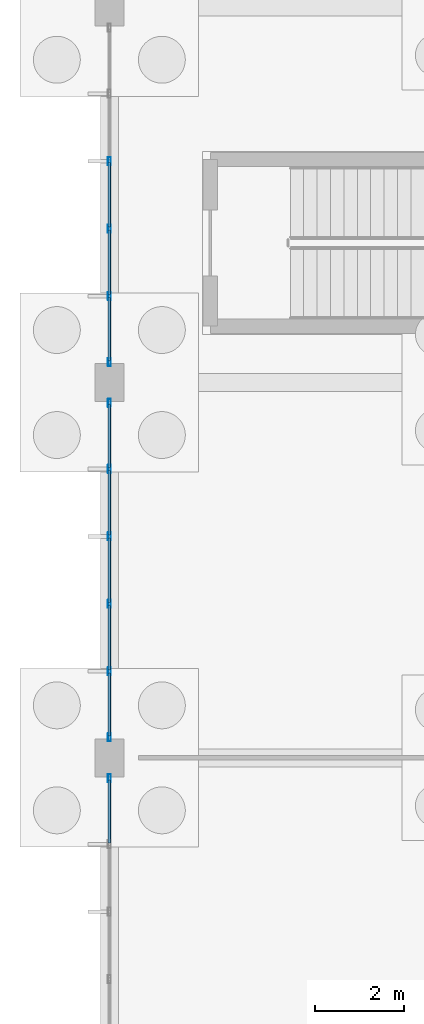
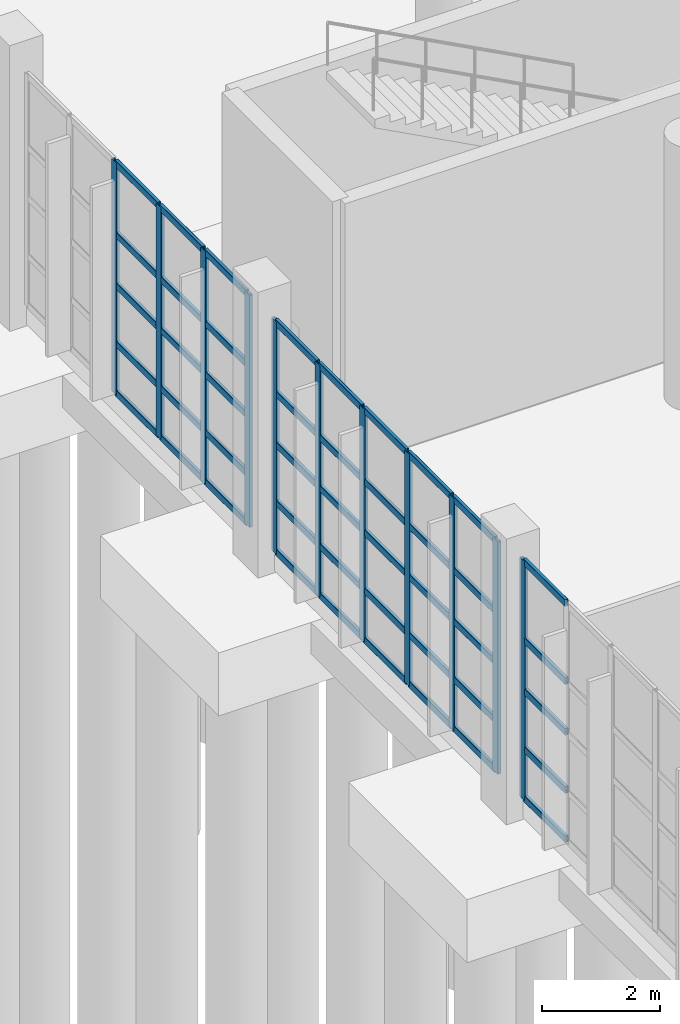
# One storey, part 20 of 83: 56 members, 3 elements without a shape of their own.
"""IFC4 building model written with IfcOpenShell, lengths in metres."""

import ifcopenshell
import ifcopenshell.guid

model = None  # the IFC model being written
_history = None  # IfcOwnerHistory: only IFC2X3 demands one
_inside = {}  # id of a spatial element -> (the spatial element, [elements in it])
_under = {}  # id of a project, library or spatial element -> (it, [spatial elements below it])
_declared = {}  # id of a project -> (the project, [libraries it declares])
_typed = {}  # id of a type object -> (the type object, [elements of that type])
_made_of = {}  # id of a material, layer set ... -> (it, [elements and type objects made of it])


def new_model(schema):
    """Start an empty IFC model of exactly this schema.

    Asked for "IFC4X3", IfcOpenShell would pick the latest addendum, in which some entities
    have other attributes; the version numbers below select the first issue.
    IFC2X3 requires an IfcOwnerHistory on every rooted entity: one is made here for all.
    """
    global model, _history
    if schema == "IFC4X3":
        model = ifcopenshell.file(schema_version=(4, 3, 0, 0))
    else:
        model = ifcopenshell.file(schema=schema)
    _inside.clear()
    _under.clear()
    _declared.clear()
    _typed.clear()
    _made_of.clear()
    _history = None
    if model.schema == "IFC2X3":
        org = make("IfcOrganization", Name="unknown")
        user = make(
            "IfcPersonAndOrganization",
            ThePerson=make("IfcPerson", FamilyName="unknown"),
            TheOrganization=org,
        )
        app = make(
            "IfcApplication",
            ApplicationDeveloper=org,
            Version="unknown",
            ApplicationFullName="unknown",
            ApplicationIdentifier="unknown",
        )
        _history = make(
            "IfcOwnerHistory",
            OwningUser=user,
            OwningApplication=app,
            ChangeAction="ADDED",
            CreationDate=0,
        )
    return model


def make(cls, **values):
    """One entity of the class cls with the attributes given. An attribute that is None is left unset."""
    return model.create_entity(
        cls, **{name: value for name, value in values.items() if value is not None}
    )


def rooted(cls, **values):
    """An entity with a GlobalId (a new one), such as an element, a storey or a relation."""
    return make(cls, GlobalId=ifcopenshell.guid.new(), OwnerHistory=_history, **values)


def si_unit(unit_type, name, prefix=None):
    """IfcSIUnit, for example si_unit("LENGTHUNIT", "METRE", prefix="MILLI")."""
    return make("IfcSIUnit", UnitType=unit_type, Prefix=prefix, Name=name)


def assignment(units):
    """IfcUnitAssignment: the units of a project."""
    return None if units is None else make("IfcUnitAssignment", Units=units)


def point(xyz):
    """IfcCartesianPoint."""
    return None if xyz is None else make("IfcCartesianPoint", Coordinates=xyz)


def direction(xyz):
    """IfcDirection."""
    return None if xyz is None else make("IfcDirection", DirectionRatios=xyz)


def frame(location, z_axis=None, x_axis=None):
    """IfcAxis2Placement3D, a coordinate frame: its origin and axes. An axis left out is left unset."""
    return make(
        "IfcAxis2Placement3D",
        Location=point(location),
        Axis=direction(z_axis),
        RefDirection=direction(x_axis),
    )


def frame_2d(location, x_axis=None):
    """IfcAxis2Placement2D, a coordinate frame in the plane: its origin and x axis."""
    return make(
        "IfcAxis2Placement2D", Location=point(location), RefDirection=direction(x_axis)
    )


def origin():
    """The frame at (0, 0, 0) with its axes left unset."""
    return frame((0.0, 0.0, 0.0))


def origin_2d():
    """The frame at (0, 0) in the plane with its x axis left unset."""
    return frame_2d((0.0, 0.0))


def place(relative_to, where):
    """IfcLocalPlacement: puts the frame where relative to a parent placement (None: the world)."""
    return make(
        "IfcLocalPlacement", PlacementRelTo=relative_to, RelativePlacement=where
    )


def context(
    kind, dimensions, precision=None, world=None, true_north=None, identifier=None
):
    """IfcGeometricRepresentationContext, for example the 3D "Model" context."""
    return make(
        "IfcGeometricRepresentationContext",
        ContextIdentifier=identifier,
        ContextType=kind,
        CoordinateSpaceDimension=dimensions,
        Precision=precision,
        WorldCoordinateSystem=world,
        TrueNorth=true_north,
    )


def subcontext(parent, identifier, kind, view, scale=None):
    """IfcGeometricRepresentationSubContext, for example "Body" below "Model"."""
    return make(
        "IfcGeometricRepresentationSubContext",
        ContextIdentifier=identifier,
        ContextType=kind,
        ParentContext=parent,
        TargetScale=scale,
        TargetView=view,
    )


def project(units=None, contexts=None):
    """IfcProject with its units and contexts."""
    return rooted(
        "IfcProject",
        Name="project",
        RepresentationContexts=contexts,
        UnitsInContext=assignment(units),
    )


def spatial(cls, under=None, at=None, **own):
    """A site, building, storey or space (cls), placed at a placement, below another one or the project."""
    s = rooted(cls, ObjectPlacement=at, **own)
    if under is not None:
        _under.setdefault(under.id(), (under, []))[1].append(s)
    return s


def profile(cls, at=None, kind="AREA", **sizes):
    """A parametric profile (cls). Its sizes go by their IFC names, for example OverallWidth=200.0."""
    return make(cls, ProfileType=kind, Position=at, **sizes)


def hollow_rectangle(**sizes):
    """IfcRectangleHollowProfileDef."""
    return profile("IfcRectangleHollowProfileDef", **sizes)


def extrude(swept, where, along, depth):
    """IfcExtrudedAreaSolid: the profile swept, set in the frame where, extruded along a direction by depth."""
    return make(
        "IfcExtrudedAreaSolid",
        SweptArea=swept,
        Position=where,
        ExtrudedDirection=direction(along),
        Depth=depth,
    )


def shape(context_of_items, identifier, shape_type, items):
    """IfcShapeRepresentation: the items that make up one representation, for example the "Body"."""
    return make(
        "IfcShapeRepresentation",
        ContextOfItems=context_of_items,
        RepresentationIdentifier=identifier,
        RepresentationType=shape_type,
        Items=items,
    )


def material(Name=None, Category=None):
    """IfcMaterial."""
    return make("IfcMaterial", Name=Name, Category=Category)


def layer(
    of_material, thickness, ventilated=None, Name=None, Category=None, Priority=None
):
    """IfcMaterialLayer: one layer of a wall or slab, of a material (None: an air gap)."""
    return make(
        "IfcMaterialLayer",
        Material=of_material,
        LayerThickness=thickness,
        IsVentilated=ventilated,
        Name=Name,
        Category=Category,
        Priority=Priority,
    )


def layer_set(layers, Name=None):
    """IfcMaterialLayerSet."""
    return make("IfcMaterialLayerSet", MaterialLayers=layers, LayerSetName=Name)


def material_profile(
    of_material, cross_section, Name=None, Category=None, Priority=None
):
    """IfcMaterialProfile: a cross section and its material."""
    return make(
        "IfcMaterialProfile",
        Name=Name,
        Material=of_material,
        Profile=cross_section,
        Priority=Priority,
        Category=Category,
    )


def profile_set(profiles, Name=None, composite=None):
    """IfcMaterialProfileSet."""
    return make(
        "IfcMaterialProfileSet",
        Name=Name,
        MaterialProfiles=profiles,
        CompositeProfile=composite,
    )


def made_of(thing, what):
    """Note that an element or type object is made of a material, layer set ...; save() writes the relation."""
    if what is not None:
        _made_of.setdefault(what.id(), (what, []))[1].append(thing)
    return thing


def type_object(cls, material=None, **own):
    """A type object (cls), such as IfcWallType, which elements share."""
    return made_of(rooted(cls, **own), material)


def element(
    cls,
    number,
    at=None,
    inside=None,
    cuts=None,
    type_object=None,
    material=None,
    context=None,
    identifier="Body",
    shape_type=None,
    held_by="IfcProductDefinitionShape",
    body=None,
    shapes=None,
    **own,
):
    """One element of the class cls, such as IfcWall. Its Tag is "e" and its number.

    at: its placement. inside: the storey or other place that contains it. cuts: it is an
    opening in that element (IfcRelVoidsElement). A single representation is given by context,
    identifier, shape_type and body (its items); several are given by shapes. held_by: the class
    of the entity that holds the representations. save() writes the other relations.
    """
    e = rooted(cls, Tag="e%d" % number, ObjectPlacement=at, **own)
    if body is not None:
        shapes = [shape(context, identifier, shape_type, body)]
    if shapes is not None:
        e.Representation = make(held_by, Representations=shapes)
    if inside is not None:
        _inside.setdefault(inside.id(), (inside, []))[1].append(e)
    if cuts is not None:
        rooted(
            "IfcRelVoidsElement", RelatingBuildingElement=cuts, RelatedOpeningElement=e
        )
    if type_object is not None:
        _typed.setdefault(type_object.id(), (type_object, []))[1].append(e)
    return made_of(e, material)


def aggregate(whole, parts):
    """IfcRelAggregates: a whole, such as a stair, and the parts it consists of."""
    return rooted("IfcRelAggregates", RelatingObject=whole, RelatedObjects=parts)


def save(model, path):
    """Write the relations noted so far, then the file.

    IfcRelAggregates (storeys below a building ...), IfcRelContainedInSpatialStructure (elements
    in a storey), IfcRelDefinesByType, IfcRelAssociatesMaterial and IfcRelDeclares: one each for
    every whole, place, type object, material and project.
    """
    for whole, parts in _under.values():
        aggregate(whole, parts)
    for where, things in _inside.values():
        rooted(
            "IfcRelContainedInSpatialStructure",
            RelatedElements=things,
            RelatingStructure=where,
        )
    for kind, things in _typed.values():
        rooted("IfcRelDefinesByType", RelatedObjects=things, RelatingType=kind)
    for what, things in _made_of.values():
        rooted("IfcRelAssociatesMaterial", RelatedObjects=things, RelatingMaterial=what)
    for by, libraries in _declared.values():
        rooted("IfcRelDeclares", RelatingContext=by, RelatedDefinitions=libraries)
    model.write(path)


model = new_model("IFC4")

# Units and contexts
model_context = context("Model", 3, precision=1e-05, world=origin(), true_north=direction((0.0, 1.0)))
body_context = subcontext(model_context, "Body", "Model", "MODEL_VIEW")
ifc_project = project(units=[si_unit("LENGTHUNIT", "METRE"), si_unit("AREAUNIT", "SQUARE_METRE"), si_unit("VOLUMEUNIT", "CUBIC_METRE"), si_unit("PLANEANGLEUNIT", "RADIAN"), si_unit("MASSUNIT", "GRAM", prefix="KILO"), si_unit("THERMODYNAMICTEMPERATUREUNIT", "KELVIN"), si_unit("POWERUNIT", "WATT")], contexts=[model_context])

# Site, building, storey
site_placement = place(None, origin())
site = spatial("IfcSite", under=ifc_project, at=site_placement, CompositionType="ELEMENT")
building_placement = place(site_placement, origin())
building = spatial("IfcBuilding", under=site, at=building_placement, Name="Mavoryth Pier Ferry Terminal", CompositionType="ELEMENT")
storey_placement = place(building_placement, origin())
storey = spatial("IfcBuildingStorey", under=building, at=storey_placement, Name="L00", CompositionType="ELEMENT", Elevation=0.0)

# Curtain wall, member
ifc_material_1 = material(Name="Anodised Aluminium and Solar-Control Low-E Glass", Category="aluminium")
ifc_layer = layer(ifc_material_1, 0.179931640625, Name="Anodised Aluminium and Solar-Control Low-E Glass", Category="aluminium")
ifc_layer_set = layer_set([ifc_layer], Name="Anodised Aluminium and Solar-Control Low-E Glass - CW-Concourse-Mod1400")
curtain_wall_type = type_object("IfcCurtainWallType", Name="CW-Concourse-Mod1400", PredefinedType="USERDEFINED", material=ifc_layer_set)
curtain_wall_1_placement = place(storey_placement, origin())
curtain_wall_1 = element("IfcCurtainWall", 1, at=curtain_wall_1_placement, inside=storey, type_object=curtain_wall_type, Name="Curtain Wall CW-0033-003", ObjectType="UNITISED CURTAIN WALL", PredefinedType="USERDEFINED")
ifc_material_2 = material(Name="Anodised Aluminium EN AW-6063", Category="aluminium")
ifc_material_profile_1 = material_profile(ifc_material_2, hollow_rectangle(XDim=0.06494140625, YDim=0.179931640625, WallThickness=0.00390625, InnerFilletRadius=0.00390625, OuterFilletRadius=0.008056640625, at=origin_2d()), Name="AL-MULL 180x65x4", Category="aluminium")
ifc_profile_set_1 = profile_set([ifc_material_profile_1], Name="Anodised Aluminium EN AW-6063 - AL-MULL 180x65x4")
member_type_1 = type_object("IfcMemberType", Name="Mullion-Alum-180x65", PredefinedType="MULLION", material=ifc_profile_set_1)
member_1_placement = place(storey_placement, frame((0.0, 46.742431640625, 0.0), z_axis=(0.0, 0.0, 1.0), x_axis=(1.0, 0.0, 0.0)))
member_1 = element("IfcMember", 2, at=member_1_placement, type_object=member_type_1, Name="CW01 mullion 1", PredefinedType="MULLION", context=body_context, shape_type="SweptSolid", body=[
    extrude(hollow_rectangle(XDim=0.06494140625, YDim=0.179931640625, WallThickness=0.00390625, InnerFilletRadius=0.00390625, OuterFilletRadius=0.008056640625, at=origin_2d()), origin(), (0.0, 0.0, 1.0), 4.93994140625),
])

# Curtain wall, members
curtain_wall_2_placement = place(storey_placement, origin())
curtain_wall_2 = element("IfcCurtainWall", 3, at=curtain_wall_2_placement, inside=storey, type_object=curtain_wall_type, Name="Curtain Wall CW-0033-005", ObjectType="UNITISED CURTAIN WALL", PredefinedType="USERDEFINED")
member_2_placement = place(storey_placement, frame((0.0, 55.142578125, 0.0), z_axis=(0.0, 0.0, 1.0), x_axis=(1.0, 0.0, 0.0)))
member_2 = element("IfcMember", 4, at=member_2_placement, type_object=member_type_1, Name="CW01 mullion 1", PredefinedType="MULLION", context=body_context, shape_type="SweptSolid", body=[
    extrude(hollow_rectangle(XDim=0.06494140625, YDim=0.179931640625, WallThickness=0.00390625, InnerFilletRadius=0.00390625, OuterFilletRadius=0.008056640625, at=origin_2d()), origin(), (0.0, 0.0, 1.0), 4.794921875),
])
member_3_placement = place(storey_placement, frame((0.0, 53.6650390625, 0.0), z_axis=(0.0, 0.0, 1.0), x_axis=(1.0, 0.0, 0.0)))
member_3 = element("IfcMember", 5, at=member_3_placement, type_object=member_type_1, Name="CW01 mullion 2", PredefinedType="MULLION", context=body_context, shape_type="SweptSolid", body=[
    extrude(hollow_rectangle(XDim=0.06494140625, YDim=0.179931640625, WallThickness=0.00390625, InnerFilletRadius=0.00390625, OuterFilletRadius=0.008056640625, at=origin_2d()), origin(), (0.0, 0.0, 1.0), 4.794921875),
])
member_4_placement = place(storey_placement, frame((0.0, 52.155029296875, 0.0), z_axis=(0.0, 0.0, 1.0), x_axis=(1.0, 0.0, 0.0)))
member_4 = element("IfcMember", 6, at=member_4_placement, type_object=member_type_1, Name="CW01 mullion 3", PredefinedType="MULLION", context=body_context, shape_type="SweptSolid", body=[
    extrude(hollow_rectangle(XDim=0.06494140625, YDim=0.179931640625, WallThickness=0.00390625, InnerFilletRadius=0.00390625, OuterFilletRadius=0.008056640625, at=origin_2d()), origin(), (0.0, 0.0, 1.0), 4.794921875),
])
member_5_placement = place(storey_placement, frame((0.0, 50.64501953125, 0.0), z_axis=(0.0, 0.0, 1.0), x_axis=(1.0, 0.0, 0.0)))
member_5 = element("IfcMember", 7, at=member_5_placement, type_object=member_type_1, Name="CW01 mullion 4", PredefinedType="MULLION", context=body_context, shape_type="SweptSolid", body=[
    extrude(hollow_rectangle(XDim=0.06494140625, YDim=0.179931640625, WallThickness=0.00390625, InnerFilletRadius=0.00390625, OuterFilletRadius=0.008056640625, at=origin_2d()), origin(), (0.0, 0.0, 1.0), 4.794921875),
])
member_6_placement = place(storey_placement, frame((0.0, 49.135009765625, 0.0), z_axis=(0.0, 0.0, 1.0), x_axis=(1.0, 0.0, 0.0)))
member_6 = element("IfcMember", 8, at=member_6_placement, type_object=member_type_1, Name="CW01 mullion 5", PredefinedType="MULLION", context=body_context, shape_type="SweptSolid", body=[
    extrude(hollow_rectangle(XDim=0.06494140625, YDim=0.179931640625, WallThickness=0.00390625, InnerFilletRadius=0.00390625, OuterFilletRadius=0.008056640625, at=origin_2d()), origin(), (0.0, 0.0, 1.0), 4.794921875),
])
member_7_placement = place(storey_placement, frame((0.0, 47.657470703125, 0.0), z_axis=(0.0, 0.0, 1.0), x_axis=(1.0, 0.0, 0.0)))
member_7 = element("IfcMember", 9, at=member_7_placement, type_object=member_type_1, Name="CW01 mullion 6", PredefinedType="MULLION", context=body_context, shape_type="SweptSolid", body=[
    extrude(hollow_rectangle(XDim=0.06494140625, YDim=0.179931640625, WallThickness=0.00390625, InnerFilletRadius=0.00390625, OuterFilletRadius=0.008056640625, at=origin_2d()), origin(), (0.0, 0.0, 1.0), 4.794921875),
])

curtain_wall_3_placement = place(storey_placement, origin())
curtain_wall_3 = element("IfcCurtainWall", 10, at=curtain_wall_3_placement, inside=storey, type_object=curtain_wall_type, Name="Curtain Wall CW-0033-009", ObjectType="UNITISED CURTAIN WALL", PredefinedType="USERDEFINED")
member_8_placement = place(storey_placement, frame((0.0, 60.554931640625, 0.0), z_axis=(0.0, 0.0, 1.0), x_axis=(1.0, 0.0, 0.0)))
member_8 = element("IfcMember", 11, at=member_8_placement, type_object=member_type_1, Name="CW01 mullion 3", PredefinedType="MULLION", context=body_context, shape_type="SweptSolid", body=[
    extrude(hollow_rectangle(XDim=0.06494140625, YDim=0.179931640625, WallThickness=0.00390625, InnerFilletRadius=0.00390625, OuterFilletRadius=0.008056640625, at=origin_2d()), origin(), (0.0, 0.0, 1.0), 4.794921875),
])
member_9_placement = place(storey_placement, frame((0.0, 59.044921875, 0.0), z_axis=(0.0, 0.0, 1.0), x_axis=(1.0, 0.0, 0.0)))
member_9 = element("IfcMember", 12, at=member_9_placement, type_object=member_type_1, Name="CW01 mullion 4", PredefinedType="MULLION", context=body_context, shape_type="SweptSolid", body=[
    extrude(hollow_rectangle(XDim=0.06494140625, YDim=0.179931640625, WallThickness=0.00390625, InnerFilletRadius=0.00390625, OuterFilletRadius=0.008056640625, at=origin_2d()), origin(), (0.0, 0.0, 1.0), 4.794921875),
])
member_10_placement = place(storey_placement, frame((0.0, 57.534912109375, 0.0), z_axis=(0.0, 0.0, 1.0), x_axis=(1.0, 0.0, 0.0)))
member_10 = element("IfcMember", 13, at=member_10_placement, type_object=member_type_1, Name="CW01 mullion 5", PredefinedType="MULLION", context=body_context, shape_type="SweptSolid", body=[
    extrude(hollow_rectangle(XDim=0.06494140625, YDim=0.179931640625, WallThickness=0.00390625, InnerFilletRadius=0.00390625, OuterFilletRadius=0.008056640625, at=origin_2d()), origin(), (0.0, 0.0, 1.0), 4.794921875),
])
member_11_placement = place(storey_placement, frame((0.0, 56.0576171875, 0.0), z_axis=(0.0, 0.0, 1.0), x_axis=(1.0, 0.0, 0.0)))
member_11 = element("IfcMember", 14, at=member_11_placement, type_object=member_type_1, Name="CW01 mullion 6", PredefinedType="MULLION", context=body_context, shape_type="SweptSolid", body=[
    extrude(hollow_rectangle(XDim=0.06494140625, YDim=0.179931640625, WallThickness=0.00390625, InnerFilletRadius=0.00390625, OuterFilletRadius=0.008056640625, at=origin_2d()), origin(), (0.0, 0.0, 1.0), 4.794921875),
])

# Member
ifc_material_profile_2 = material_profile(ifc_material_2, hollow_rectangle(XDim=0.06494140625, YDim=0.139892578125, WallThickness=0.00390625, InnerFilletRadius=0.00390625, OuterFilletRadius=0.008056640625, at=origin_2d()), Name="AL-TRAN 140x65x4", Category="aluminium")
ifc_profile_set_2 = profile_set([ifc_material_profile_2], Name="Anodised Aluminium EN AW-6063 - AL-TRAN 140x65x4")
member_type_2 = type_object("IfcMemberType", Name="Transom-Alum-140x65", PredefinedType="USERDEFINED", material=ifc_profile_set_2)
member_12_placement = place(storey_placement, frame((0.0, 46.7099609375, 0.032470703125), z_axis=(0.0, -1.0, 0.0), x_axis=(1.0, 0.0, 0.0)))
member_12 = element("IfcMember", 15, at=member_12_placement, type_object=member_type_2, Name="CW01 transom 1.1", ObjectType="TRANSOM", PredefinedType="USERDEFINED", context=body_context, shape_type="SweptSolid", body=[
    extrude(hollow_rectangle(XDim=0.06494140625, YDim=0.139892578125, WallThickness=0.00390625, InnerFilletRadius=0.00390625, OuterFilletRadius=0.008056640625, at=origin_2d()), origin(), (0.0, 0.0, 1.0), 1.412353515625),
])

member_13_placement = place(storey_placement, frame((0.0, 46.7099609375, 1.050048828125), z_axis=(0.0, -1.0, 0.0), x_axis=(1.0, 0.0, 0.0)))
member_13 = element("IfcMember", 16, at=member_13_placement, type_object=member_type_2, Name="CW01 transom 1.2", ObjectType="TRANSOM", PredefinedType="USERDEFINED", context=body_context, shape_type="SweptSolid", body=[
    extrude(hollow_rectangle(XDim=0.06494140625, YDim=0.139892578125, WallThickness=0.00390625, InnerFilletRadius=0.00390625, OuterFilletRadius=0.008056640625, at=origin_2d()), origin(), (0.0, 0.0, 1.0), 1.412353515625),
])

member_14_placement = place(storey_placement, frame((0.0, 46.7099609375, 2.25), z_axis=(0.0, -1.0, 0.0), x_axis=(1.0, 0.0, 0.0)))
member_14 = element("IfcMember", 17, at=member_14_placement, type_object=member_type_2, Name="CW01 transom 1.3", ObjectType="TRANSOM", PredefinedType="USERDEFINED", context=body_context, shape_type="SweptSolid", body=[
    extrude(hollow_rectangle(XDim=0.06494140625, YDim=0.139892578125, WallThickness=0.00390625, InnerFilletRadius=0.00390625, OuterFilletRadius=0.008056640625, at=origin_2d()), origin(), (0.0, 0.0, 1.0), 1.412353515625),
])

member_15_placement = place(storey_placement, frame((0.0, 46.7099609375, 3.300048828125), z_axis=(0.0, -1.0, 0.0), x_axis=(1.0, 0.0, 0.0)))
member_15 = element("IfcMember", 18, at=member_15_placement, type_object=member_type_2, Name="CW01 transom 1.4", ObjectType="TRANSOM", PredefinedType="USERDEFINED", context=body_context, shape_type="SweptSolid", body=[
    extrude(hollow_rectangle(XDim=0.06494140625, YDim=0.139892578125, WallThickness=0.00390625, InnerFilletRadius=0.00390625, OuterFilletRadius=0.008056640625, at=origin_2d()), origin(), (0.0, 0.0, 1.0), 1.412353515625),
])

member_16_placement = place(storey_placement, frame((0.0, 46.7099609375, 4.907470703125), z_axis=(0.0, -1.0, 0.0), x_axis=(1.0, 0.0, 0.0)))
member_16 = element("IfcMember", 19, at=member_16_placement, type_object=member_type_2, Name="CW01 transom 1.5", ObjectType="TRANSOM", PredefinedType="USERDEFINED", context=body_context, shape_type="SweptSolid", body=[
    extrude(hollow_rectangle(XDim=0.06494140625, YDim=0.139892578125, WallThickness=0.00390625, InnerFilletRadius=0.00390625, OuterFilletRadius=0.008056640625, at=origin_2d()), origin(), (0.0, 0.0, 1.0), 1.412353515625),
])

aggregate(curtain_wall_1, [member_1, member_12, member_13, member_14, member_15, member_16])

member_17_placement = place(storey_placement, frame((0.0, 55.110107421875, 0.032470703125), z_axis=(0.0, -1.0, 0.0), x_axis=(1.0, 0.0, 0.0)))
member_17 = element("IfcMember", 20, at=member_17_placement, type_object=member_type_2, Name="CW01 transom 1.1", ObjectType="TRANSOM", PredefinedType="USERDEFINED", context=body_context, shape_type="SweptSolid", body=[
    extrude(hollow_rectangle(XDim=0.06494140625, YDim=0.139892578125, WallThickness=0.00390625, InnerFilletRadius=0.00390625, OuterFilletRadius=0.008056640625, at=origin_2d()), origin(), (0.0, 0.0, 1.0), 1.41259765625),
])

member_18_placement = place(storey_placement, frame((0.0, 55.110107421875, 1.050048828125), z_axis=(0.0, -1.0, 0.0), x_axis=(1.0, 0.0, 0.0)))
member_18 = element("IfcMember", 21, at=member_18_placement, type_object=member_type_2, Name="CW01 transom 1.2", ObjectType="TRANSOM", PredefinedType="USERDEFINED", context=body_context, shape_type="SweptSolid", body=[
    extrude(hollow_rectangle(XDim=0.06494140625, YDim=0.139892578125, WallThickness=0.00390625, InnerFilletRadius=0.00390625, OuterFilletRadius=0.008056640625, at=origin_2d()), origin(), (0.0, 0.0, 1.0), 1.41259765625),
])

member_19_placement = place(storey_placement, frame((0.0, 55.110107421875, 2.25), z_axis=(0.0, -1.0, 0.0), x_axis=(1.0, 0.0, 0.0)))
member_19 = element("IfcMember", 22, at=member_19_placement, type_object=member_type_2, Name="CW01 transom 1.3", ObjectType="TRANSOM", PredefinedType="USERDEFINED", context=body_context, shape_type="SweptSolid", body=[
    extrude(hollow_rectangle(XDim=0.06494140625, YDim=0.139892578125, WallThickness=0.00390625, InnerFilletRadius=0.00390625, OuterFilletRadius=0.008056640625, at=origin_2d()), origin(), (0.0, 0.0, 1.0), 1.41259765625),
])

member_20_placement = place(storey_placement, frame((0.0, 55.110107421875, 3.300048828125), z_axis=(0.0, -1.0, 0.0), x_axis=(1.0, 0.0, 0.0)))
member_20 = element("IfcMember", 23, at=member_20_placement, type_object=member_type_2, Name="CW01 transom 1.4", ObjectType="TRANSOM", PredefinedType="USERDEFINED", context=body_context, shape_type="SweptSolid", body=[
    extrude(hollow_rectangle(XDim=0.06494140625, YDim=0.139892578125, WallThickness=0.00390625, InnerFilletRadius=0.00390625, OuterFilletRadius=0.008056640625, at=origin_2d()), origin(), (0.0, 0.0, 1.0), 1.41259765625),
])

member_21_placement = place(storey_placement, frame((0.0, 55.110107421875, 4.762451171875), z_axis=(0.0, -1.0, 0.0), x_axis=(1.0, 0.0, 0.0)))
member_21 = element("IfcMember", 24, at=member_21_placement, type_object=member_type_2, Name="CW01 transom 1.5", ObjectType="TRANSOM", PredefinedType="USERDEFINED", context=body_context, shape_type="SweptSolid", body=[
    extrude(hollow_rectangle(XDim=0.06494140625, YDim=0.139892578125, WallThickness=0.00390625, InnerFilletRadius=0.00390625, OuterFilletRadius=0.008056640625, at=origin_2d()), origin(), (0.0, 0.0, 1.0), 1.41259765625),
])

member_22_placement = place(storey_placement, frame((0.0, 53.632568359375, 0.032470703125), z_axis=(0.0, -1.0, 0.0), x_axis=(1.0, 0.0, 0.0)))
member_22 = element("IfcMember", 25, at=member_22_placement, type_object=member_type_2, Name="CW01 transom 2.1", ObjectType="TRANSOM", PredefinedType="USERDEFINED", context=body_context, shape_type="SweptSolid", body=[
    extrude(hollow_rectangle(XDim=0.06494140625, YDim=0.139892578125, WallThickness=0.00390625, InnerFilletRadius=0.00390625, OuterFilletRadius=0.008056640625, at=origin_2d()), origin(), (0.0, 0.0, 1.0), 1.445068359375),
])

member_23_placement = place(storey_placement, frame((0.0, 53.632568359375, 1.050048828125), z_axis=(0.0, -1.0, 0.0), x_axis=(1.0, 0.0, 0.0)))
member_23 = element("IfcMember", 26, at=member_23_placement, type_object=member_type_2, Name="CW01 transom 2.2", ObjectType="TRANSOM", PredefinedType="USERDEFINED", context=body_context, shape_type="SweptSolid", body=[
    extrude(hollow_rectangle(XDim=0.06494140625, YDim=0.139892578125, WallThickness=0.00390625, InnerFilletRadius=0.00390625, OuterFilletRadius=0.008056640625, at=origin_2d()), origin(), (0.0, 0.0, 1.0), 1.445068359375),
])

member_24_placement = place(storey_placement, frame((0.0, 53.632568359375, 2.25), z_axis=(0.0, -1.0, 0.0), x_axis=(1.0, 0.0, 0.0)))
member_24 = element("IfcMember", 27, at=member_24_placement, type_object=member_type_2, Name="CW01 transom 2.3", ObjectType="TRANSOM", PredefinedType="USERDEFINED", context=body_context, shape_type="SweptSolid", body=[
    extrude(hollow_rectangle(XDim=0.06494140625, YDim=0.139892578125, WallThickness=0.00390625, InnerFilletRadius=0.00390625, OuterFilletRadius=0.008056640625, at=origin_2d()), origin(), (0.0, 0.0, 1.0), 1.445068359375),
])

member_25_placement = place(storey_placement, frame((0.0, 53.632568359375, 3.300048828125), z_axis=(0.0, -1.0, 0.0), x_axis=(1.0, 0.0, 0.0)))
member_25 = element("IfcMember", 28, at=member_25_placement, type_object=member_type_2, Name="CW01 transom 2.4", ObjectType="TRANSOM", PredefinedType="USERDEFINED", context=body_context, shape_type="SweptSolid", body=[
    extrude(hollow_rectangle(XDim=0.06494140625, YDim=0.139892578125, WallThickness=0.00390625, InnerFilletRadius=0.00390625, OuterFilletRadius=0.008056640625, at=origin_2d()), origin(), (0.0, 0.0, 1.0), 1.445068359375),
])

member_26_placement = place(storey_placement, frame((0.0, 53.632568359375, 4.762451171875), z_axis=(0.0, -1.0, 0.0), x_axis=(1.0, 0.0, 0.0)))
member_26 = element("IfcMember", 29, at=member_26_placement, type_object=member_type_2, Name="CW01 transom 2.5", ObjectType="TRANSOM", PredefinedType="USERDEFINED", context=body_context, shape_type="SweptSolid", body=[
    extrude(hollow_rectangle(XDim=0.06494140625, YDim=0.139892578125, WallThickness=0.00390625, InnerFilletRadius=0.00390625, OuterFilletRadius=0.008056640625, at=origin_2d()), origin(), (0.0, 0.0, 1.0), 1.445068359375),
])

member_27_placement = place(storey_placement, frame((0.0, 52.12255859375, 0.032470703125), z_axis=(0.0, -1.0, 0.0), x_axis=(1.0, 0.0, 0.0)))
member_27 = element("IfcMember", 30, at=member_27_placement, type_object=member_type_2, Name="CW01 transom 3.1", ObjectType="TRANSOM", PredefinedType="USERDEFINED", context=body_context, shape_type="SweptSolid", body=[
    extrude(hollow_rectangle(XDim=0.06494140625, YDim=0.139892578125, WallThickness=0.00390625, InnerFilletRadius=0.00390625, OuterFilletRadius=0.008056640625, at=origin_2d()), origin(), (0.0, 0.0, 1.0), 1.445068359375),
])

member_28_placement = place(storey_placement, frame((0.0, 52.12255859375, 1.050048828125), z_axis=(0.0, -1.0, 0.0), x_axis=(1.0, 0.0, 0.0)))
member_28 = element("IfcMember", 31, at=member_28_placement, type_object=member_type_2, Name="CW01 transom 3.2", ObjectType="TRANSOM", PredefinedType="USERDEFINED", context=body_context, shape_type="SweptSolid", body=[
    extrude(hollow_rectangle(XDim=0.06494140625, YDim=0.139892578125, WallThickness=0.00390625, InnerFilletRadius=0.00390625, OuterFilletRadius=0.008056640625, at=origin_2d()), origin(), (0.0, 0.0, 1.0), 1.445068359375),
])

member_29_placement = place(storey_placement, frame((0.0, 52.12255859375, 2.25), z_axis=(0.0, -1.0, 0.0), x_axis=(1.0, 0.0, 0.0)))
member_29 = element("IfcMember", 32, at=member_29_placement, type_object=member_type_2, Name="CW01 transom 3.3", ObjectType="TRANSOM", PredefinedType="USERDEFINED", context=body_context, shape_type="SweptSolid", body=[
    extrude(hollow_rectangle(XDim=0.06494140625, YDim=0.139892578125, WallThickness=0.00390625, InnerFilletRadius=0.00390625, OuterFilletRadius=0.008056640625, at=origin_2d()), origin(), (0.0, 0.0, 1.0), 1.445068359375),
])

member_30_placement = place(storey_placement, frame((0.0, 52.12255859375, 3.300048828125), z_axis=(0.0, -1.0, 0.0), x_axis=(1.0, 0.0, 0.0)))
member_30 = element("IfcMember", 33, at=member_30_placement, type_object=member_type_2, Name="CW01 transom 3.4", ObjectType="TRANSOM", PredefinedType="USERDEFINED", context=body_context, shape_type="SweptSolid", body=[
    extrude(hollow_rectangle(XDim=0.06494140625, YDim=0.139892578125, WallThickness=0.00390625, InnerFilletRadius=0.00390625, OuterFilletRadius=0.008056640625, at=origin_2d()), origin(), (0.0, 0.0, 1.0), 1.445068359375),
])

member_31_placement = place(storey_placement, frame((0.0, 52.12255859375, 4.762451171875), z_axis=(0.0, -1.0, 0.0), x_axis=(1.0, 0.0, 0.0)))
member_31 = element("IfcMember", 34, at=member_31_placement, type_object=member_type_2, Name="CW01 transom 3.5", ObjectType="TRANSOM", PredefinedType="USERDEFINED", context=body_context, shape_type="SweptSolid", body=[
    extrude(hollow_rectangle(XDim=0.06494140625, YDim=0.139892578125, WallThickness=0.00390625, InnerFilletRadius=0.00390625, OuterFilletRadius=0.008056640625, at=origin_2d()), origin(), (0.0, 0.0, 1.0), 1.445068359375),
])

member_32_placement = place(storey_placement, frame((0.0, 50.612548828125, 0.032470703125), z_axis=(0.0, -1.0, 0.0), x_axis=(1.0, 0.0, 0.0)))
member_32 = element("IfcMember", 35, at=member_32_placement, type_object=member_type_2, Name="CW01 transom 4.1", ObjectType="TRANSOM", PredefinedType="USERDEFINED", context=body_context, shape_type="SweptSolid", body=[
    extrude(hollow_rectangle(XDim=0.06494140625, YDim=0.139892578125, WallThickness=0.00390625, InnerFilletRadius=0.00390625, OuterFilletRadius=0.008056640625, at=origin_2d()), origin(), (0.0, 0.0, 1.0), 1.445068359375),
])

member_33_placement = place(storey_placement, frame((0.0, 50.612548828125, 1.050048828125), z_axis=(0.0, -1.0, 0.0), x_axis=(1.0, 0.0, 0.0)))
member_33 = element("IfcMember", 36, at=member_33_placement, type_object=member_type_2, Name="CW01 transom 4.2", ObjectType="TRANSOM", PredefinedType="USERDEFINED", context=body_context, shape_type="SweptSolid", body=[
    extrude(hollow_rectangle(XDim=0.06494140625, YDim=0.139892578125, WallThickness=0.00390625, InnerFilletRadius=0.00390625, OuterFilletRadius=0.008056640625, at=origin_2d()), origin(), (0.0, 0.0, 1.0), 1.445068359375),
])

member_34_placement = place(storey_placement, frame((0.0, 50.612548828125, 2.25), z_axis=(0.0, -1.0, 0.0), x_axis=(1.0, 0.0, 0.0)))
member_34 = element("IfcMember", 37, at=member_34_placement, type_object=member_type_2, Name="CW01 transom 4.3", ObjectType="TRANSOM", PredefinedType="USERDEFINED", context=body_context, shape_type="SweptSolid", body=[
    extrude(hollow_rectangle(XDim=0.06494140625, YDim=0.139892578125, WallThickness=0.00390625, InnerFilletRadius=0.00390625, OuterFilletRadius=0.008056640625, at=origin_2d()), origin(), (0.0, 0.0, 1.0), 1.445068359375),
])

member_35_placement = place(storey_placement, frame((0.0, 50.612548828125, 3.300048828125), z_axis=(0.0, -1.0, 0.0), x_axis=(1.0, 0.0, 0.0)))
member_35 = element("IfcMember", 38, at=member_35_placement, type_object=member_type_2, Name="CW01 transom 4.4", ObjectType="TRANSOM", PredefinedType="USERDEFINED", context=body_context, shape_type="SweptSolid", body=[
    extrude(hollow_rectangle(XDim=0.06494140625, YDim=0.139892578125, WallThickness=0.00390625, InnerFilletRadius=0.00390625, OuterFilletRadius=0.008056640625, at=origin_2d()), origin(), (0.0, 0.0, 1.0), 1.445068359375),
])

member_36_placement = place(storey_placement, frame((0.0, 50.612548828125, 4.762451171875), z_axis=(0.0, -1.0, 0.0), x_axis=(1.0, 0.0, 0.0)))
member_36 = element("IfcMember", 39, at=member_36_placement, type_object=member_type_2, Name="CW01 transom 4.5", ObjectType="TRANSOM", PredefinedType="USERDEFINED", context=body_context, shape_type="SweptSolid", body=[
    extrude(hollow_rectangle(XDim=0.06494140625, YDim=0.139892578125, WallThickness=0.00390625, InnerFilletRadius=0.00390625, OuterFilletRadius=0.008056640625, at=origin_2d()), origin(), (0.0, 0.0, 1.0), 1.445068359375),
])

member_37_placement = place(storey_placement, frame((0.0, 49.1025390625, 0.032470703125), z_axis=(0.0, -1.0, 0.0), x_axis=(1.0, 0.0, 0.0)))
member_37 = element("IfcMember", 40, at=member_37_placement, type_object=member_type_2, Name="CW01 transom 5.1", ObjectType="TRANSOM", PredefinedType="USERDEFINED", context=body_context, shape_type="SweptSolid", body=[
    extrude(hollow_rectangle(XDim=0.06494140625, YDim=0.139892578125, WallThickness=0.00390625, InnerFilletRadius=0.00390625, OuterFilletRadius=0.008056640625, at=origin_2d()), origin(), (0.0, 0.0, 1.0), 1.41259765625),
])

member_38_placement = place(storey_placement, frame((0.0, 49.1025390625, 1.050048828125), z_axis=(0.0, -1.0, 0.0), x_axis=(1.0, 0.0, 0.0)))
member_38 = element("IfcMember", 41, at=member_38_placement, type_object=member_type_2, Name="CW01 transom 5.2", ObjectType="TRANSOM", PredefinedType="USERDEFINED", context=body_context, shape_type="SweptSolid", body=[
    extrude(hollow_rectangle(XDim=0.06494140625, YDim=0.139892578125, WallThickness=0.00390625, InnerFilletRadius=0.00390625, OuterFilletRadius=0.008056640625, at=origin_2d()), origin(), (0.0, 0.0, 1.0), 1.41259765625),
])

member_39_placement = place(storey_placement, frame((0.0, 49.1025390625, 2.25), z_axis=(0.0, -1.0, 0.0), x_axis=(1.0, 0.0, 0.0)))
member_39 = element("IfcMember", 42, at=member_39_placement, type_object=member_type_2, Name="CW01 transom 5.3", ObjectType="TRANSOM", PredefinedType="USERDEFINED", context=body_context, shape_type="SweptSolid", body=[
    extrude(hollow_rectangle(XDim=0.06494140625, YDim=0.139892578125, WallThickness=0.00390625, InnerFilletRadius=0.00390625, OuterFilletRadius=0.008056640625, at=origin_2d()), origin(), (0.0, 0.0, 1.0), 1.41259765625),
])

member_40_placement = place(storey_placement, frame((0.0, 49.1025390625, 3.300048828125), z_axis=(0.0, -1.0, 0.0), x_axis=(1.0, 0.0, 0.0)))
member_40 = element("IfcMember", 43, at=member_40_placement, type_object=member_type_2, Name="CW01 transom 5.4", ObjectType="TRANSOM", PredefinedType="USERDEFINED", context=body_context, shape_type="SweptSolid", body=[
    extrude(hollow_rectangle(XDim=0.06494140625, YDim=0.139892578125, WallThickness=0.00390625, InnerFilletRadius=0.00390625, OuterFilletRadius=0.008056640625, at=origin_2d()), origin(), (0.0, 0.0, 1.0), 1.41259765625),
])

member_41_placement = place(storey_placement, frame((0.0, 49.1025390625, 4.762451171875), z_axis=(0.0, -1.0, 0.0), x_axis=(1.0, 0.0, 0.0)))
member_41 = element("IfcMember", 44, at=member_41_placement, type_object=member_type_2, Name="CW01 transom 5.5", ObjectType="TRANSOM", PredefinedType="USERDEFINED", context=body_context, shape_type="SweptSolid", body=[
    extrude(hollow_rectangle(XDim=0.06494140625, YDim=0.139892578125, WallThickness=0.00390625, InnerFilletRadius=0.00390625, OuterFilletRadius=0.008056640625, at=origin_2d()), origin(), (0.0, 0.0, 1.0), 1.41259765625),
])

aggregate(curtain_wall_2, [member_2, member_3, member_4, member_5, member_6, member_7, member_17, member_18, member_19, member_20, member_21, member_22, member_23, member_24, member_25, member_26, member_27, member_28, member_29, member_30, member_31, member_32, member_33, member_34, member_35, member_36, member_37, member_38, member_39, member_40, member_41])

member_42_placement = place(storey_placement, frame((0.0, 60.5224609375, 0.032470703125), z_axis=(0.0, -1.0, 0.0), x_axis=(1.0, 0.0, 0.0)))
member_42 = element("IfcMember", 45, at=member_42_placement, type_object=member_type_2, Name="CW01 transom 3.1", ObjectType="TRANSOM", PredefinedType="USERDEFINED", context=body_context, shape_type="SweptSolid", body=[
    extrude(hollow_rectangle(XDim=0.06494140625, YDim=0.139892578125, WallThickness=0.00390625, InnerFilletRadius=0.00390625, OuterFilletRadius=0.008056640625, at=origin_2d()), origin(), (0.0, 0.0, 1.0), 1.445068359375),
])

member_43_placement = place(storey_placement, frame((0.0, 60.5224609375, 1.050048828125), z_axis=(0.0, -1.0, 0.0), x_axis=(1.0, 0.0, 0.0)))
member_43 = element("IfcMember", 46, at=member_43_placement, type_object=member_type_2, Name="CW01 transom 3.2", ObjectType="TRANSOM", PredefinedType="USERDEFINED", context=body_context, shape_type="SweptSolid", body=[
    extrude(hollow_rectangle(XDim=0.06494140625, YDim=0.139892578125, WallThickness=0.00390625, InnerFilletRadius=0.00390625, OuterFilletRadius=0.008056640625, at=origin_2d()), origin(), (0.0, 0.0, 1.0), 1.445068359375),
])

member_44_placement = place(storey_placement, frame((0.0, 60.5224609375, 2.25), z_axis=(0.0, -1.0, 0.0), x_axis=(1.0, 0.0, 0.0)))
member_44 = element("IfcMember", 47, at=member_44_placement, type_object=member_type_2, Name="CW01 transom 3.3", ObjectType="TRANSOM", PredefinedType="USERDEFINED", context=body_context, shape_type="SweptSolid", body=[
    extrude(hollow_rectangle(XDim=0.06494140625, YDim=0.139892578125, WallThickness=0.00390625, InnerFilletRadius=0.00390625, OuterFilletRadius=0.008056640625, at=origin_2d()), origin(), (0.0, 0.0, 1.0), 1.445068359375),
])

member_45_placement = place(storey_placement, frame((0.0, 60.5224609375, 3.300048828125), z_axis=(0.0, -1.0, 0.0), x_axis=(1.0, 0.0, 0.0)))
member_45 = element("IfcMember", 48, at=member_45_placement, type_object=member_type_2, Name="CW01 transom 3.4", ObjectType="TRANSOM", PredefinedType="USERDEFINED", context=body_context, shape_type="SweptSolid", body=[
    extrude(hollow_rectangle(XDim=0.06494140625, YDim=0.139892578125, WallThickness=0.00390625, InnerFilletRadius=0.00390625, OuterFilletRadius=0.008056640625, at=origin_2d()), origin(), (0.0, 0.0, 1.0), 1.445068359375),
])

member_46_placement = place(storey_placement, frame((0.0, 60.5224609375, 4.762451171875), z_axis=(0.0, -1.0, 0.0), x_axis=(1.0, 0.0, 0.0)))
member_46 = element("IfcMember", 49, at=member_46_placement, type_object=member_type_2, Name="CW01 transom 3.5", ObjectType="TRANSOM", PredefinedType="USERDEFINED", context=body_context, shape_type="SweptSolid", body=[
    extrude(hollow_rectangle(XDim=0.06494140625, YDim=0.139892578125, WallThickness=0.00390625, InnerFilletRadius=0.00390625, OuterFilletRadius=0.008056640625, at=origin_2d()), origin(), (0.0, 0.0, 1.0), 1.445068359375),
])

member_47_placement = place(storey_placement, frame((0.0, 59.012451171875, 0.032470703125), z_axis=(0.0, -1.0, 0.0), x_axis=(1.0, 0.0, 0.0)))
member_47 = element("IfcMember", 50, at=member_47_placement, type_object=member_type_2, Name="CW01 transom 4.1", ObjectType="TRANSOM", PredefinedType="USERDEFINED", context=body_context, shape_type="SweptSolid", body=[
    extrude(hollow_rectangle(XDim=0.06494140625, YDim=0.139892578125, WallThickness=0.00390625, InnerFilletRadius=0.00390625, OuterFilletRadius=0.008056640625, at=origin_2d()), origin(), (0.0, 0.0, 1.0), 1.445068359375),
])

member_48_placement = place(storey_placement, frame((0.0, 59.012451171875, 1.050048828125), z_axis=(0.0, -1.0, 0.0), x_axis=(1.0, 0.0, 0.0)))
member_48 = element("IfcMember", 51, at=member_48_placement, type_object=member_type_2, Name="CW01 transom 4.2", ObjectType="TRANSOM", PredefinedType="USERDEFINED", context=body_context, shape_type="SweptSolid", body=[
    extrude(hollow_rectangle(XDim=0.06494140625, YDim=0.139892578125, WallThickness=0.00390625, InnerFilletRadius=0.00390625, OuterFilletRadius=0.008056640625, at=origin_2d()), origin(), (0.0, 0.0, 1.0), 1.445068359375),
])

member_49_placement = place(storey_placement, frame((0.0, 59.012451171875, 2.25), z_axis=(0.0, -1.0, 0.0), x_axis=(1.0, 0.0, 0.0)))
member_49 = element("IfcMember", 52, at=member_49_placement, type_object=member_type_2, Name="CW01 transom 4.3", ObjectType="TRANSOM", PredefinedType="USERDEFINED", context=body_context, shape_type="SweptSolid", body=[
    extrude(hollow_rectangle(XDim=0.06494140625, YDim=0.139892578125, WallThickness=0.00390625, InnerFilletRadius=0.00390625, OuterFilletRadius=0.008056640625, at=origin_2d()), origin(), (0.0, 0.0, 1.0), 1.445068359375),
])

member_50_placement = place(storey_placement, frame((0.0, 59.012451171875, 3.300048828125), z_axis=(0.0, -1.0, 0.0), x_axis=(1.0, 0.0, 0.0)))
member_50 = element("IfcMember", 53, at=member_50_placement, type_object=member_type_2, Name="CW01 transom 4.4", ObjectType="TRANSOM", PredefinedType="USERDEFINED", context=body_context, shape_type="SweptSolid", body=[
    extrude(hollow_rectangle(XDim=0.06494140625, YDim=0.139892578125, WallThickness=0.00390625, InnerFilletRadius=0.00390625, OuterFilletRadius=0.008056640625, at=origin_2d()), origin(), (0.0, 0.0, 1.0), 1.445068359375),
])

member_51_placement = place(storey_placement, frame((0.0, 59.012451171875, 4.762451171875), z_axis=(0.0, -1.0, 0.0), x_axis=(1.0, 0.0, 0.0)))
member_51 = element("IfcMember", 54, at=member_51_placement, type_object=member_type_2, Name="CW01 transom 4.5", ObjectType="TRANSOM", PredefinedType="USERDEFINED", context=body_context, shape_type="SweptSolid", body=[
    extrude(hollow_rectangle(XDim=0.06494140625, YDim=0.139892578125, WallThickness=0.00390625, InnerFilletRadius=0.00390625, OuterFilletRadius=0.008056640625, at=origin_2d()), origin(), (0.0, 0.0, 1.0), 1.445068359375),
])

member_52_placement = place(storey_placement, frame((0.0, 57.50244140625, 0.032470703125), z_axis=(0.0, -1.0, 0.0), x_axis=(1.0, 0.0, 0.0)))
member_52 = element("IfcMember", 55, at=member_52_placement, type_object=member_type_2, Name="CW01 transom 5.1", ObjectType="TRANSOM", PredefinedType="USERDEFINED", context=body_context, shape_type="SweptSolid", body=[
    extrude(hollow_rectangle(XDim=0.06494140625, YDim=0.139892578125, WallThickness=0.00390625, InnerFilletRadius=0.00390625, OuterFilletRadius=0.008056640625, at=origin_2d()), origin(), (0.0, 0.0, 1.0), 1.412353515625),
])

member_53_placement = place(storey_placement, frame((0.0, 57.50244140625, 1.050048828125), z_axis=(0.0, -1.0, 0.0), x_axis=(1.0, 0.0, 0.0)))
member_53 = element("IfcMember", 56, at=member_53_placement, type_object=member_type_2, Name="CW01 transom 5.2", ObjectType="TRANSOM", PredefinedType="USERDEFINED", context=body_context, shape_type="SweptSolid", body=[
    extrude(hollow_rectangle(XDim=0.06494140625, YDim=0.139892578125, WallThickness=0.00390625, InnerFilletRadius=0.00390625, OuterFilletRadius=0.008056640625, at=origin_2d()), origin(), (0.0, 0.0, 1.0), 1.412353515625),
])

member_54_placement = place(storey_placement, frame((0.0, 57.50244140625, 2.25), z_axis=(0.0, -1.0, 0.0), x_axis=(1.0, 0.0, 0.0)))
member_54 = element("IfcMember", 57, at=member_54_placement, type_object=member_type_2, Name="CW01 transom 5.3", ObjectType="TRANSOM", PredefinedType="USERDEFINED", context=body_context, shape_type="SweptSolid", body=[
    extrude(hollow_rectangle(XDim=0.06494140625, YDim=0.139892578125, WallThickness=0.00390625, InnerFilletRadius=0.00390625, OuterFilletRadius=0.008056640625, at=origin_2d()), origin(), (0.0, 0.0, 1.0), 1.412353515625),
])

member_55_placement = place(storey_placement, frame((0.0, 57.50244140625, 3.300048828125), z_axis=(0.0, -1.0, 0.0), x_axis=(1.0, 0.0, 0.0)))
member_55 = element("IfcMember", 58, at=member_55_placement, type_object=member_type_2, Name="CW01 transom 5.4", ObjectType="TRANSOM", PredefinedType="USERDEFINED", context=body_context, shape_type="SweptSolid", body=[
    extrude(hollow_rectangle(XDim=0.06494140625, YDim=0.139892578125, WallThickness=0.00390625, InnerFilletRadius=0.00390625, OuterFilletRadius=0.008056640625, at=origin_2d()), origin(), (0.0, 0.0, 1.0), 1.412353515625),
])

member_56_placement = place(storey_placement, frame((0.0, 57.50244140625, 4.762451171875), z_axis=(0.0, -1.0, 0.0), x_axis=(1.0, 0.0, 0.0)))
member_56 = element("IfcMember", 59, at=member_56_placement, type_object=member_type_2, Name="CW01 transom 5.5", ObjectType="TRANSOM", PredefinedType="USERDEFINED", context=body_context, shape_type="SweptSolid", body=[
    extrude(hollow_rectangle(XDim=0.06494140625, YDim=0.139892578125, WallThickness=0.00390625, InnerFilletRadius=0.00390625, OuterFilletRadius=0.008056640625, at=origin_2d()), origin(), (0.0, 0.0, 1.0), 1.412353515625),
])

aggregate(curtain_wall_3, [member_8, member_9, member_10, member_11, member_42, member_43, member_44, member_45, member_46, member_47, member_48, member_49, member_50, member_51, member_52, member_53, member_54, member_55, member_56])

save(model, "model.ifc")
